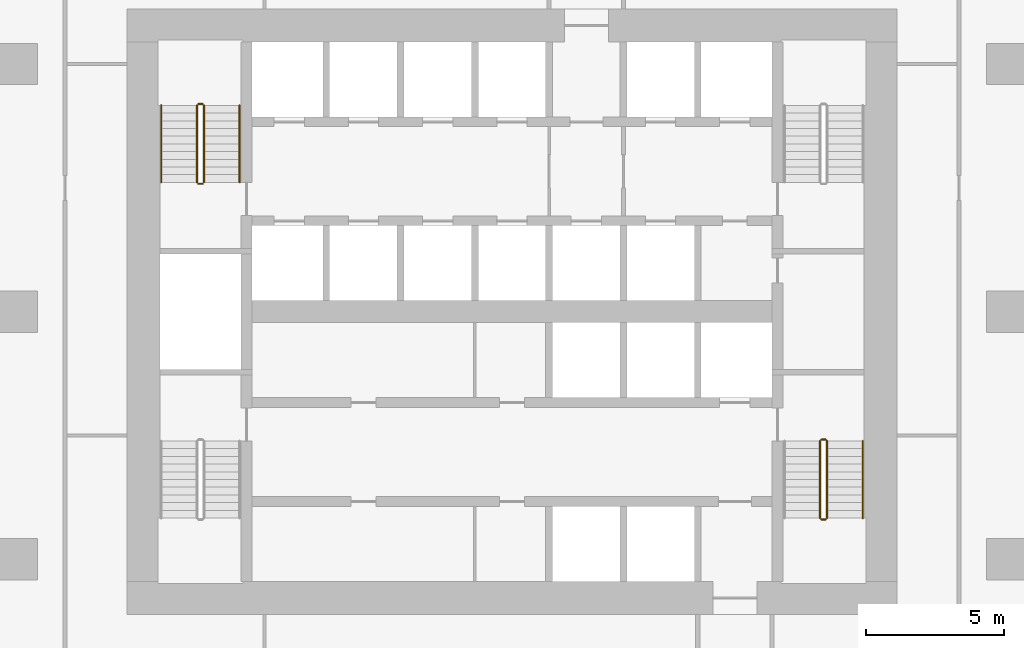
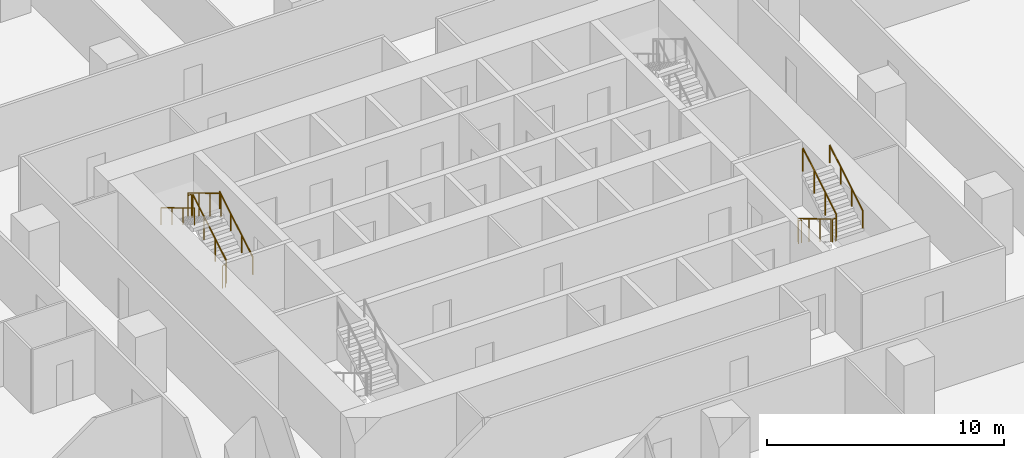
# One storey, part 22 of 25: 11 railings.
"""IFC4 building model written with IfcOpenShell, lengths in metres."""

from ifc_helpers import new_model, si_unit, direction, frame, origin, origin_2d, place, context, subcontext, project, spatial, circle, extrude, material, type_object, element, save


model = new_model("IFC4")

# Units and contexts
model_context = context("Model", 3, precision=1e-05, world=origin(), true_north=direction((0.0, 1.0)))
body_context = subcontext(model_context, "Body", "Model", "MODEL_VIEW")
ifc_project = project(units=[si_unit("LENGTHUNIT", "METRE"), si_unit("AREAUNIT", "SQUARE_METRE"), si_unit("VOLUMEUNIT", "CUBIC_METRE"), si_unit("PLANEANGLEUNIT", "RADIAN"), si_unit("MASSUNIT", "GRAM", prefix="KILO")], contexts=[model_context])

# Site, building, storey
site_placement = place(None, origin())
site = spatial("IfcSite", under=ifc_project, at=site_placement, CompositionType="ELEMENT")
building_placement = place(site_placement, origin())
building = spatial("IfcBuilding", under=site, at=building_placement, Name="Dongbaek Canopy Tower", CompositionType="ELEMENT")
storey_placement = place(building_placement, frame((0.0, 0.0, 81.0)))
storey = spatial("IfcBuildingStorey", under=building, at=storey_placement, Name="L16", CompositionType="ELEMENT", Elevation=81.0)

# Railings
ifc_material_1 = material(Name="Stainless steel tube and balusters", Category="steel")
railing_type_1 = type_object("IfcRailingType", Name="Stair guard 1200", PredefinedType="GUARDRAIL", material=ifc_material_1)
railing_1_placement = place(storey_placement, frame((-11.199951171875, 4.699951171875, 0.168212890625)))
element("IfcRailing", 1, at=railing_1_placement, inside=storey, type_object=railing_type_1, Name="L16 ST-C stair guard 1", PredefinedType="GUARDRAIL", context=body_context, shape_type="SweptSolid", body=[
    extrude(circle(Radius=0.02392578125, at=origin_2d()), frame((0.0, 0.0, 1.17578125), z_axis=(0.0, 0.857242210791, 0.514913383045), x_axis=(-1.0, 0.0, 0.0)), (0.0, 0.0, 1.0), 3.266357421875),
    extrude(circle(Radius=0.02099609375, at=origin_2d()), origin(), (0.0, 0.0, 1.0), 1.15185546875),
    extrude(circle(Radius=0.02099609375, at=origin_2d()), frame((0.0, 0.933349609375, 0.560546875)), (0.0, 0.0, 1.0), 1.15185546875),
    extrude(circle(Radius=0.02099609375, at=origin_2d()), frame((0.0, 1.86669921875, 1.121337890625)), (0.0, 0.0, 1.0), 1.15185546875),
    extrude(circle(Radius=0.02099609375, at=origin_2d()), frame((0.0, 2.800048828125, 1.681884765625)), (0.0, 0.0, 1.0), 1.15185546875),
])
railing_2_placement = place(storey_placement, frame((-11.25, 7.550048828125, 1.85009765625)))
element("IfcRailing", 2, at=railing_2_placement, inside=storey, type_object=railing_type_1, Name="L16 ST-C stair guard 2", PredefinedType="GUARDRAIL", context=body_context, shape_type="SweptSolid", body=[
    extrude(circle(Radius=0.02392578125, at=origin_2d()), frame((0.0, 0.0, 1.17578125), z_axis=(-1.0, 0.0, 0.0), x_axis=(0.0, -1.0, 0.0)), (0.0, 0.0, 1.0), 0.14990234375),
    extrude(circle(Radius=0.02099609375, at=origin_2d()), origin(), (0.0, 0.0, 1.0), 1.15185546875),
    extrude(circle(Radius=0.02099609375, at=origin_2d()), frame((-0.14990234375, 0.0, 0.0)), (0.0, 0.0, 1.0), 1.15185546875),
])
railing_3_placement = place(storey_placement, frame((-11.449951171875, 7.5, 2.01806640625)))
element("IfcRailing", 3, at=railing_3_placement, inside=storey, type_object=railing_type_1, Name="L16 ST-C stair guard 3", PredefinedType="GUARDRAIL", context=body_context, shape_type="SweptSolid", body=[
    extrude(circle(Radius=0.02392578125, at=origin_2d()), frame((0.0, 0.0, 1.17578125), z_axis=(0.0, -0.857242210791, 0.514913383045), x_axis=(1.0, 0.0, 0.0)), (0.0, 0.0, 1.0), 3.266357421875),
    extrude(circle(Radius=0.02099609375, at=origin_2d()), origin(), (0.0, 0.0, 1.0), 1.15185546875),
    extrude(circle(Radius=0.02099609375, at=origin_2d()), frame((0.0, -0.933349609375, 0.560546875)), (0.0, 0.0, 1.0), 1.15185546875),
    extrude(circle(Radius=0.02099609375, at=origin_2d()), frame((0.0, -1.86669921875, 1.121337890625)), (0.0, 0.0, 1.0), 1.15185546875),
    extrude(circle(Radius=0.02099609375, at=origin_2d()), frame((0.0, -2.800048828125, 1.681884765625)), (0.0, 0.0, 1.0), 1.15185546875),
])
railing_4_placement = place(storey_placement, frame((-11.25, 4.64990234375, 0.0)))
element("IfcRailing", 4, at=railing_4_placement, inside=storey, type_object=railing_type_1, Name="L16 ST-C stair guard 4", PredefinedType="GUARDRAIL", context=body_context, shape_type="SweptSolid", body=[
    extrude(circle(Radius=0.02392578125, at=origin_2d()), frame((0.0, 0.0, 1.17578125), z_axis=(-1.0, 0.0, 0.0), x_axis=(0.0, -1.0, 0.0)), (0.0, 0.0, 1.0), 0.14990234375),
    extrude(circle(Radius=0.02099609375, at=origin_2d()), origin(), (0.0, 0.0, 1.0), 1.15185546875),
    extrude(circle(Radius=0.02099609375, at=origin_2d()), frame((-0.14990234375, 0.0, 0.0)), (0.0, 0.0, 1.0), 1.15185546875),
])
railing_5_placement = place(storey_placement, frame((11.199951171875, -4.699951171875, 0.168212890625)))
element("IfcRailing", 5, at=railing_5_placement, inside=storey, type_object=railing_type_1, Name="L16 ST-B stair guard 1", PredefinedType="GUARDRAIL", context=body_context, shape_type="SweptSolid", body=[
    extrude(circle(Radius=0.02392578125, at=origin_2d()), frame((0.0, 0.0, 1.17578125), z_axis=(0.0, -0.857242210791, 0.514913383045), x_axis=(1.0, 0.0, 0.0)), (0.0, 0.0, 1.0), 3.266357421875),
    extrude(circle(Radius=0.02099609375, at=origin_2d()), origin(), (0.0, 0.0, 1.0), 1.15185546875),
    extrude(circle(Radius=0.02099609375, at=origin_2d()), frame((0.0, -0.933349609375, 0.560546875)), (0.0, 0.0, 1.0), 1.15185546875),
    extrude(circle(Radius=0.02099609375, at=origin_2d()), frame((0.0, -1.86669921875, 1.121337890625)), (0.0, 0.0, 1.0), 1.15185546875),
    extrude(circle(Radius=0.02099609375, at=origin_2d()), frame((0.0, -2.800048828125, 1.681884765625)), (0.0, 0.0, 1.0), 1.15185546875),
])
railing_6_placement = place(storey_placement, frame((11.25, -7.550048828125, 1.85009765625)))
element("IfcRailing", 6, at=railing_6_placement, inside=storey, type_object=railing_type_1, Name="L16 ST-B stair guard 2", PredefinedType="GUARDRAIL", context=body_context, shape_type="SweptSolid", body=[
    extrude(circle(Radius=0.02392578125, at=origin_2d()), frame((0.0, 0.0, 1.17578125), z_axis=(1.0, 0.0, 0.0), x_axis=(0.0, 1.0, 0.0)), (0.0, 0.0, 1.0), 0.14990234375),
    extrude(circle(Radius=0.02099609375, at=origin_2d()), origin(), (0.0, 0.0, 1.0), 1.15185546875),
    extrude(circle(Radius=0.02099609375, at=origin_2d()), frame((0.14990234375, 0.0, 0.0)), (0.0, 0.0, 1.0), 1.15185546875),
])
railing_7_placement = place(storey_placement, frame((11.449951171875, -7.5, 2.01806640625)))
element("IfcRailing", 7, at=railing_7_placement, inside=storey, type_object=railing_type_1, Name="L16 ST-B stair guard 3", PredefinedType="GUARDRAIL", context=body_context, shape_type="SweptSolid", body=[
    extrude(circle(Radius=0.02392578125, at=origin_2d()), frame((0.0, 0.0, 1.17578125), z_axis=(0.0, 0.857242210791, 0.514913383045), x_axis=(-1.0, 0.0, 0.0)), (0.0, 0.0, 1.0), 3.266357421875),
    extrude(circle(Radius=0.02099609375, at=origin_2d()), origin(), (0.0, 0.0, 1.0), 1.15185546875),
    extrude(circle(Radius=0.02099609375, at=origin_2d()), frame((0.0, 0.933349609375, 0.560546875)), (0.0, 0.0, 1.0), 1.15185546875),
    extrude(circle(Radius=0.02099609375, at=origin_2d()), frame((0.0, 1.86669921875, 1.121337890625)), (0.0, 0.0, 1.0), 1.15185546875),
    extrude(circle(Radius=0.02099609375, at=origin_2d()), frame((0.0, 2.800048828125, 1.681884765625)), (0.0, 0.0, 1.0), 1.15185546875),
])
railing_8_placement = place(storey_placement, frame((11.25, -4.64990234375, 0.0)))
element("IfcRailing", 8, at=railing_8_placement, inside=storey, type_object=railing_type_1, Name="L16 ST-B stair guard 4", PredefinedType="GUARDRAIL", context=body_context, shape_type="SweptSolid", body=[
    extrude(circle(Radius=0.02392578125, at=origin_2d()), frame((0.0, 0.0, 1.17578125), z_axis=(1.0, 0.0, 0.0), x_axis=(0.0, 1.0, 0.0)), (0.0, 0.0, 1.0), 0.14990234375),
    extrude(circle(Radius=0.02099609375, at=origin_2d()), origin(), (0.0, 0.0, 1.0), 1.15185546875),
    extrude(circle(Radius=0.02099609375, at=origin_2d()), frame((0.14990234375, 0.0, 0.0)), (0.0, 0.0, 1.0), 1.15185546875),
])
ifc_material_2 = material(Name="Stainless steel tube", Category="steel")
railing_type_2 = type_object("IfcRailingType", Name="Stair handrail 900", PredefinedType="HANDRAIL", material=ifc_material_2)
railing_9_placement = place(storey_placement, frame((-9.89990234375, 4.699951171875, 0.168212890625)))
element("IfcRailing", 9, at=railing_9_placement, inside=storey, type_object=railing_type_2, Name="L16 ST-C stair handrail 1", PredefinedType="HANDRAIL", context=body_context, shape_type="SweptSolid", body=[
    extrude(circle(Radius=0.02392578125, at=origin_2d()), frame((0.0, 0.0, 0.8759765625), z_axis=(0.0, 0.857242210791, 0.514913383045), x_axis=(-1.0, 0.0, 0.0)), (0.0, 0.0, 1.0), 3.266357421875),
    extrude(circle(Radius=0.02099609375, at=origin_2d()), origin(), (0.0, 0.0, 1.0), 0.851806640625),
    extrude(circle(Radius=0.02099609375, at=origin_2d()), frame((0.0, 0.933349609375, 0.560546875)), (0.0, 0.0, 1.0), 0.851806640625),
    extrude(circle(Radius=0.02099609375, at=origin_2d()), frame((0.0, 1.86669921875, 1.121337890625)), (0.0, 0.0, 1.0), 0.851806640625),
    extrude(circle(Radius=0.02099609375, at=origin_2d()), frame((0.0, 2.800048828125, 1.681884765625)), (0.0, 0.0, 1.0), 0.851806640625),
])
railing_10_placement = place(storey_placement, frame((-12.75, 7.5, 2.01806640625)))
element("IfcRailing", 10, at=railing_10_placement, inside=storey, type_object=railing_type_2, Name="L16 ST-C stair handrail 2", PredefinedType="HANDRAIL", context=body_context, shape_type="SweptSolid", body=[
    extrude(circle(Radius=0.02392578125, at=origin_2d()), frame((0.0, 0.0, 0.8759765625), z_axis=(0.0, -0.857242210791, 0.514913383045), x_axis=(1.0, 0.0, 0.0)), (0.0, 0.0, 1.0), 3.266357421875),
    extrude(circle(Radius=0.02099609375, at=origin_2d()), origin(), (0.0, 0.0, 1.0), 0.851806640625),
    extrude(circle(Radius=0.02099609375, at=origin_2d()), frame((0.0, -0.933349609375, 0.560546875)), (0.0, 0.0, 1.0), 0.851806640625),
    extrude(circle(Radius=0.02099609375, at=origin_2d()), frame((0.0, -1.86669921875, 1.121337890625)), (0.0, 0.0, 1.0), 0.851806640625),
    extrude(circle(Radius=0.02099609375, at=origin_2d()), frame((0.0, -2.800048828125, 1.681884765625)), (0.0, 0.0, 1.0), 0.851806640625),
])
railing_11_placement = place(storey_placement, frame((12.75, -7.5, 2.01806640625)))
element("IfcRailing", 11, at=railing_11_placement, inside=storey, type_object=railing_type_2, Name="L16 ST-B stair handrail 2", PredefinedType="HANDRAIL", context=body_context, shape_type="SweptSolid", body=[
    extrude(circle(Radius=0.02392578125, at=origin_2d()), frame((0.0, 0.0, 0.8759765625), z_axis=(0.0, 0.857242210791, 0.514913383045), x_axis=(-1.0, 0.0, 0.0)), (0.0, 0.0, 1.0), 3.266357421875),
    extrude(circle(Radius=0.02099609375, at=origin_2d()), origin(), (0.0, 0.0, 1.0), 0.851806640625),
    extrude(circle(Radius=0.02099609375, at=origin_2d()), frame((0.0, 0.933349609375, 0.560546875)), (0.0, 0.0, 1.0), 0.851806640625),
    extrude(circle(Radius=0.02099609375, at=origin_2d()), frame((0.0, 1.86669921875, 1.121337890625)), (0.0, 0.0, 1.0), 0.851806640625),
    extrude(circle(Radius=0.02099609375, at=origin_2d()), frame((0.0, 2.800048828125, 1.681884765625)), (0.0, 0.0, 1.0), 0.851806640625),
])

save(model, "model.ifc")
